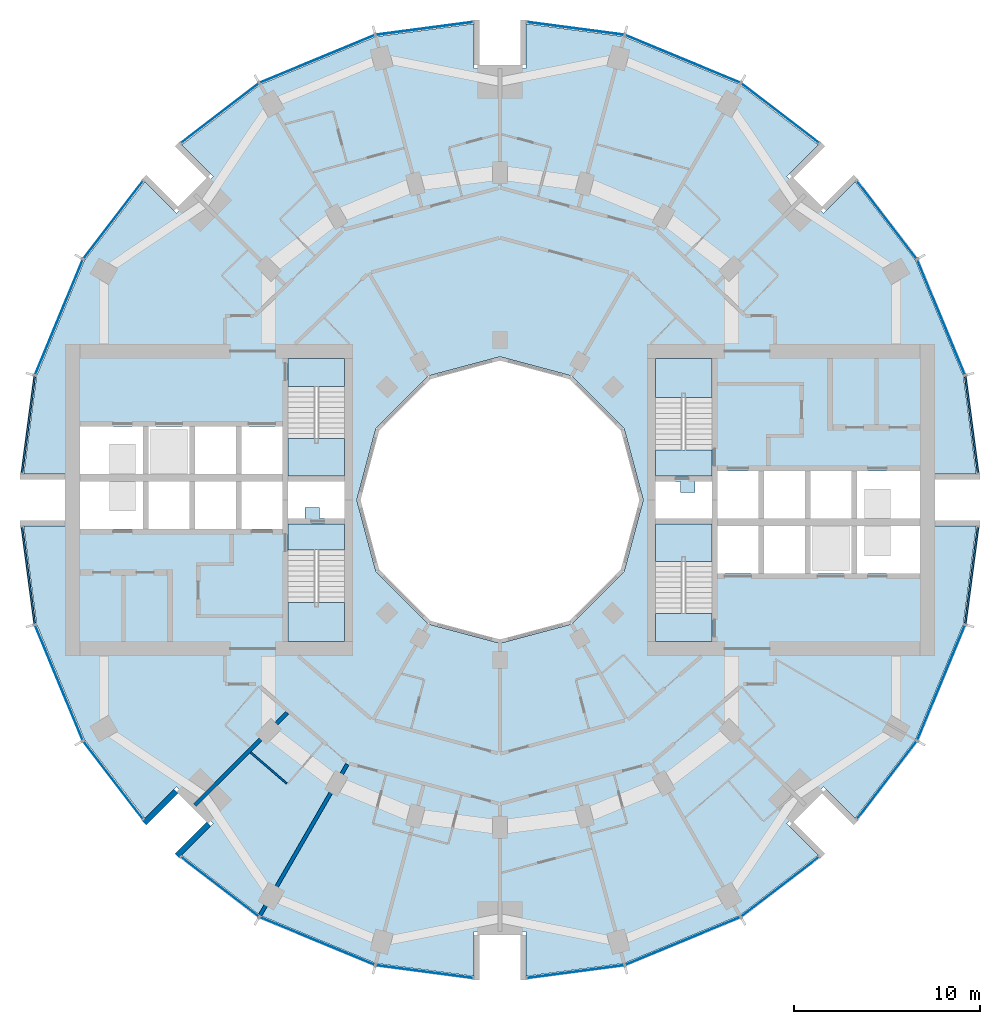
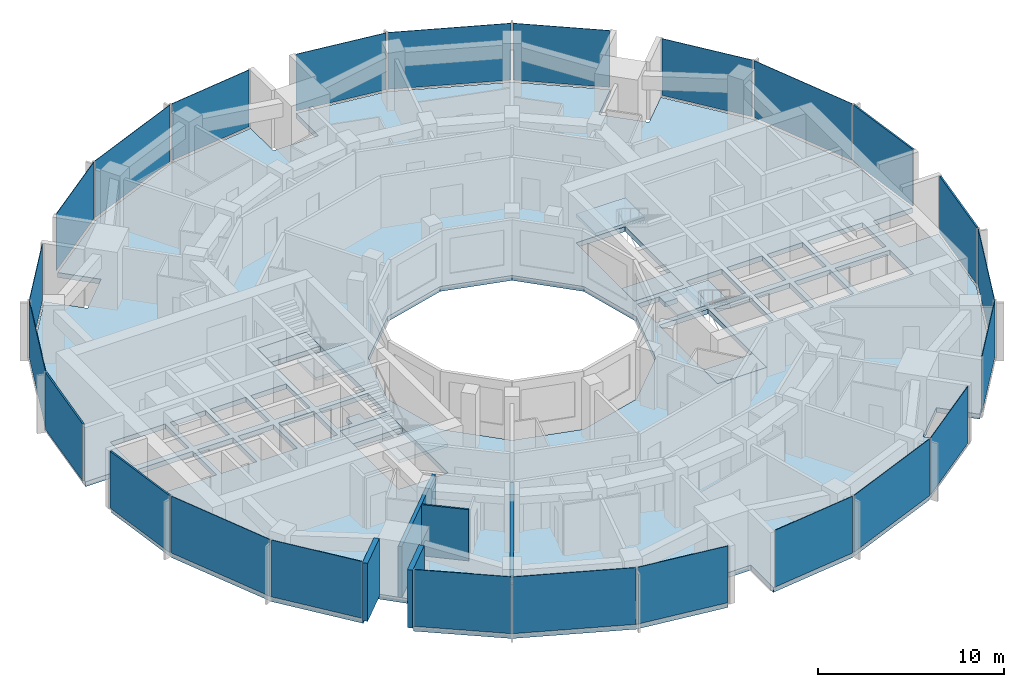
# One storey, part 7 of 15: 24 plates, 9 slabs, 5 walls, 28 elements without a shape of their own.
"""IFC4 building model written with IfcOpenShell, lengths in metres."""

from ifc_helpers import new_model, si_unit, direction, frame, frame_2d, origin, origin_2d, place, context, subcontext, project, spatial, polyline, rectangle, outline, extrude, material, layer, layer_set, type_object, element, aggregate, save


model = new_model("IFC4")

# Units and contexts
model_context = context("Model", 3, precision=1e-05, world=origin(), true_north=direction((0.0, 1.0)))
body_context = subcontext(model_context, "Body", "Model", "MODEL_VIEW")
ifc_project = project(units=[si_unit("LENGTHUNIT", "METRE"), si_unit("AREAUNIT", "SQUARE_METRE"), si_unit("VOLUMEUNIT", "CUBIC_METRE"), si_unit("PLANEANGLEUNIT", "RADIAN"), si_unit("MASSUNIT", "GRAM", prefix="KILO")], contexts=[model_context])

# Site, building, storey
site_placement = place(None, origin())
site = spatial("IfcSite", under=ifc_project, at=site_placement, CompositionType="ELEMENT")
building_placement = place(site_placement, origin())
building = spatial("IfcBuilding", under=site, at=building_placement, Name="Torre Brocal", CompositionType="ELEMENT")
storey_placement = place(building_placement, frame((0.0, 0.0, 40.199951171875)))
storey = spatial("IfcBuildingStorey", under=building, at=storey_placement, Name="L08", CompositionType="ELEMENT", Elevation=40.199951171875)

# Curtain wall, plate
ifc_material_1 = material(Name="Aluminium and glass", Category="aluminium")
ifc_layer_1 = layer(ifc_material_1, 0.199951171875)
ifc_layer_set_1 = layer_set([ifc_layer_1], Name="Aluminium and glass")
curtain_wall_type_1 = type_object("IfcCurtainWallType", Name="CW-1 CURTAIN WALL 3800 HIGH", PredefinedType="NOTDEFINED", material=ifc_layer_set_1)
curtain_wall_1_placement = place(storey_placement, origin())
curtain_wall_1 = element("IfcCurtainWall", 1, at=curtain_wall_1_placement, inside=storey, type_object=curtain_wall_type_1, Name="CW-1 RUN 2", PredefinedType="NOTDEFINED")
ifc_material_2 = material(Name="Glass, dark tinted laminated", Category="glass")
ifc_layer_2 = layer(ifc_material_2, 0.031982421875)
ifc_layer_set_2 = layer_set([ifc_layer_2], Name="Glass, dark tinted laminated")
plate_type_1 = type_object("IfcPlateType", Name="CW-1 GLASS PANEL 32", PredefinedType="CURTAIN_PANEL", material=ifc_layer_set_2)
plate_1_placement = place(storey_placement, frame((103.722900390625, 84.826416015625, 0.080078125), z_axis=(0.0, 0.0, 1.0), x_axis=(-0.382683432333, 0.923879532525, 0.0)))
plate_1 = element("IfcPlate", 2, at=plate_1_placement, type_object=plate_type_1, Name="CW1-1 panel 1.1", PredefinedType="CURTAIN_PANEL", context=body_context, shape_type="SweptSolid", body=[
    extrude(rectangle(XDim=6.64111328125, YDim=0.031982421875, at=origin_2d()), origin(), (0.0, 0.0, 1.0), 3.719970703125),
])
aggregate(curtain_wall_1, [plate_1])

curtain_wall_2_placement = place(storey_placement, origin())
curtain_wall_2 = element("IfcCurtainWall", 3, at=curtain_wall_2_placement, inside=storey, type_object=curtain_wall_type_1, Name="CW-1 RUN 3", PredefinedType="NOTDEFINED")
plate_2_placement = place(storey_placement, frame((100.80126953125, 90.0712890625, 0.080078125), z_axis=(0.0, 0.0, 1.0), x_axis=(-0.60876142905, 0.793353340259, 0.0)))
plate_2 = element("IfcPlate", 4, at=plate_2_placement, type_object=plate_type_1, Name="CW1-1 panel 1.1", PredefinedType="CURTAIN_PANEL", context=body_context, shape_type="SweptSolid", body=[
    extrude(rectangle(XDim=5.22900390625, YDim=0.031982421875, at=origin_2d()), origin(), (0.0, 0.0, 1.0), 3.719970703125),
])
aggregate(curtain_wall_2, [plate_2])

curtain_wall_3_placement = place(storey_placement, origin())
curtain_wall_3 = element("IfcCurtainWall", 5, at=curtain_wall_3_placement, inside=storey, type_object=curtain_wall_type_1, Name="CW-1 RUN 4", PredefinedType="NOTDEFINED")
plate_3_placement = place(storey_placement, frame((95.0712890625, 95.80126953125, 0.080078125), z_axis=(0.0, 0.0, 1.0), x_axis=(-0.793353340259, 0.60876142905, 0.0)))
plate_3 = element("IfcPlate", 6, at=plate_3_placement, type_object=plate_type_1, Name="CW1-1 panel 1.1", PredefinedType="CURTAIN_PANEL", context=body_context, shape_type="SweptSolid", body=[
    extrude(rectangle(XDim=5.22900390625, YDim=0.031982421875, at=origin_2d()), origin(), (0.0, 0.0, 1.0), 3.719970703125),
])
aggregate(curtain_wall_3, [plate_3])

curtain_wall_4_placement = place(storey_placement, origin())
curtain_wall_4 = element("IfcCurtainWall", 7, at=curtain_wall_4_placement, inside=storey, type_object=curtain_wall_type_1, Name="CW-1 RUN 5", PredefinedType="NOTDEFINED")
plate_4_placement = place(storey_placement, frame((89.826416015625, 98.722900390625, 0.080078125), z_axis=(0.0, 0.0, 1.0), x_axis=(-0.923879532525, 0.382683432333, 0.0)))
plate_4 = element("IfcPlate", 8, at=plate_4_placement, type_object=plate_type_1, Name="CW1-1 panel 1.1", PredefinedType="CURTAIN_PANEL", context=body_context, shape_type="SweptSolid", body=[
    extrude(rectangle(XDim=6.64111328125, YDim=0.031982421875, at=origin_2d()), origin(), (0.0, 0.0, 1.0), 3.719970703125),
])
aggregate(curtain_wall_4, [plate_4])

curtain_wall_5_placement = place(storey_placement, origin())
curtain_wall_5 = element("IfcCurtainWall", 9, at=curtain_wall_5_placement, inside=storey, type_object=curtain_wall_type_1, Name="CW-1 RUN 6", PredefinedType="NOTDEFINED")
plate_5_placement = place(storey_placement, frame((84.051513671875, 100.36572265625, 0.080078125), z_axis=(0.0, 0.0, 1.0), x_axis=(-0.991444861374, 0.13052619222, 0.0)))
plate_5 = element("IfcPlate", 10, at=plate_5_placement, type_object=plate_type_1, Name="CW1-1 panel 1.1", PredefinedType="CURTAIN_PANEL", context=body_context, shape_type="SweptSolid", body=[
    extrude(rectangle(XDim=5.22900390625, YDim=0.031982421875, at=origin_2d()), origin(), (0.0, 0.0, 1.0), 3.719970703125),
])
aggregate(curtain_wall_5, [plate_5])

curtain_wall_6_placement = place(storey_placement, origin())
curtain_wall_6 = element("IfcCurtainWall", 11, at=curtain_wall_6_placement, inside=storey, type_object=curtain_wall_type_1, Name="CW-1 RUN 7", PredefinedType="NOTDEFINED")
plate_6_placement = place(storey_placement, frame((75.948486328125, 100.36572265625, 0.080078125), z_axis=(0.0, 0.0, 1.0), x_axis=(-0.991444861374, -0.13052619222, 0.0)))
plate_6 = element("IfcPlate", 12, at=plate_6_placement, type_object=plate_type_1, Name="CW1-1 panel 1.1", PredefinedType="CURTAIN_PANEL", context=body_context, shape_type="SweptSolid", body=[
    extrude(rectangle(XDim=5.22900390625, YDim=0.031982421875, at=origin_2d()), origin(), (0.0, 0.0, 1.0), 3.719970703125),
])
aggregate(curtain_wall_6, [plate_6])

curtain_wall_7_placement = place(storey_placement, origin())
curtain_wall_7 = element("IfcCurtainWall", 13, at=curtain_wall_7_placement, inside=storey, type_object=curtain_wall_type_1, Name="CW-1 RUN 8", PredefinedType="NOTDEFINED")
plate_7_placement = place(storey_placement, frame((70.173583984375, 98.722900390625, 0.080078125), z_axis=(0.0, 0.0, 1.0), x_axis=(-0.923879532525, -0.382683432333, 0.0)))
plate_7 = element("IfcPlate", 14, at=plate_7_placement, type_object=plate_type_1, Name="CW1-1 panel 1.1", PredefinedType="CURTAIN_PANEL", context=body_context, shape_type="SweptSolid", body=[
    extrude(rectangle(XDim=6.64111328125, YDim=0.031982421875, at=origin_2d()), origin(), (0.0, 0.0, 1.0), 3.719970703125),
])
aggregate(curtain_wall_7, [plate_7])

curtain_wall_8_placement = place(storey_placement, origin())
curtain_wall_8 = element("IfcCurtainWall", 15, at=curtain_wall_8_placement, inside=storey, type_object=curtain_wall_type_1, Name="CW-1 RUN 9", PredefinedType="NOTDEFINED")
plate_8_placement = place(storey_placement, frame((64.9287109375, 95.80126953125, 0.080078125), z_axis=(0.0, 0.0, 1.0), x_axis=(-0.793353340259, -0.60876142905, 0.0)))
plate_8 = element("IfcPlate", 16, at=plate_8_placement, type_object=plate_type_1, Name="CW1-1 panel 1.1", PredefinedType="CURTAIN_PANEL", context=body_context, shape_type="SweptSolid", body=[
    extrude(rectangle(XDim=5.22900390625, YDim=0.031982421875, at=origin_2d()), origin(), (0.0, 0.0, 1.0), 3.719970703125),
])
aggregate(curtain_wall_8, [plate_8])

curtain_wall_9_placement = place(storey_placement, origin())
curtain_wall_9 = element("IfcCurtainWall", 17, at=curtain_wall_9_placement, inside=storey, type_object=curtain_wall_type_1, Name="CW-1 RUN 10", PredefinedType="NOTDEFINED")
plate_9_placement = place(storey_placement, frame((59.19873046875, 90.0712890625, 0.080078125), z_axis=(0.0, 0.0, 1.0), x_axis=(-0.60876142905, -0.793353340259, 0.0)))
plate_9 = element("IfcPlate", 18, at=plate_9_placement, type_object=plate_type_1, Name="CW1-1 panel 1.1", PredefinedType="CURTAIN_PANEL", context=body_context, shape_type="SweptSolid", body=[
    extrude(rectangle(XDim=5.22900390625, YDim=0.031982421875, at=origin_2d()), origin(), (0.0, 0.0, 1.0), 3.719970703125),
])
aggregate(curtain_wall_9, [plate_9])

curtain_wall_10_placement = place(storey_placement, origin())
curtain_wall_10 = element("IfcCurtainWall", 19, at=curtain_wall_10_placement, inside=storey, type_object=curtain_wall_type_1, Name="CW-1 RUN 11", PredefinedType="NOTDEFINED")
plate_10_placement = place(storey_placement, frame((56.277099609375, 84.826416015625, 0.080078125), z_axis=(0.0, 0.0, 1.0), x_axis=(-0.382683432333, -0.923879532525, 0.0)))
plate_10 = element("IfcPlate", 20, at=plate_10_placement, type_object=plate_type_1, Name="CW1-1 panel 1.1", PredefinedType="CURTAIN_PANEL", context=body_context, shape_type="SweptSolid", body=[
    extrude(rectangle(XDim=6.64111328125, YDim=0.031982421875, at=origin_2d()), origin(), (0.0, 0.0, 1.0), 3.719970703125),
])
aggregate(curtain_wall_10, [plate_10])

curtain_wall_11_placement = place(storey_placement, origin())
curtain_wall_11 = element("IfcCurtainWall", 21, at=curtain_wall_11_placement, inside=storey, type_object=curtain_wall_type_1, Name="CW-1 RUN 14", PredefinedType="NOTDEFINED")
plate_11_placement = place(storey_placement, frame((56.277099609375, 65.173583984375, 0.080078125), z_axis=(0.0, 0.0, 1.0), x_axis=(0.382683432333, -0.923879532525, 0.0)))
plate_11 = element("IfcPlate", 22, at=plate_11_placement, type_object=plate_type_1, Name="CW1-1 panel 1.1", PredefinedType="CURTAIN_PANEL", context=body_context, shape_type="SweptSolid", body=[
    extrude(rectangle(XDim=6.64111328125, YDim=0.031982421875, at=origin_2d()), origin(), (0.0, 0.0, 1.0), 3.719970703125),
])
aggregate(curtain_wall_11, [plate_11])

curtain_wall_12_placement = place(storey_placement, origin())
curtain_wall_12 = element("IfcCurtainWall", 23, at=curtain_wall_12_placement, inside=storey, type_object=curtain_wall_type_1, Name="CW-1 RUN 15", PredefinedType="NOTDEFINED")
plate_12_placement = place(storey_placement, frame((59.19873046875, 59.9287109375, 0.080078125), z_axis=(0.0, 0.0, 1.0), x_axis=(0.60876142905, -0.793353340259, 0.0)))
plate_12 = element("IfcPlate", 24, at=plate_12_placement, type_object=plate_type_1, Name="CW1-1 panel 1.1", PredefinedType="CURTAIN_PANEL", context=body_context, shape_type="SweptSolid", body=[
    extrude(rectangle(XDim=5.22900390625, YDim=0.031982421875, at=origin_2d()), origin(), (0.0, 0.0, 1.0), 3.719970703125),
])
aggregate(curtain_wall_12, [plate_12])

curtain_wall_13_placement = place(storey_placement, origin())
curtain_wall_13 = element("IfcCurtainWall", 25, at=curtain_wall_13_placement, inside=storey, type_object=curtain_wall_type_1, Name="CW-1 RUN 16", PredefinedType="NOTDEFINED")
plate_13_placement = place(storey_placement, frame((64.9287109375, 54.19873046875, 0.080078125), z_axis=(0.0, 0.0, 1.0), x_axis=(0.793353340259, -0.60876142905, 0.0)))
plate_13 = element("IfcPlate", 26, at=plate_13_placement, type_object=plate_type_1, Name="CW1-1 panel 1.1", PredefinedType="CURTAIN_PANEL", context=body_context, shape_type="SweptSolid", body=[
    extrude(rectangle(XDim=5.22900390625, YDim=0.031982421875, at=origin_2d()), origin(), (0.0, 0.0, 1.0), 3.719970703125),
])
aggregate(curtain_wall_13, [plate_13])

curtain_wall_14_placement = place(storey_placement, origin())
curtain_wall_14 = element("IfcCurtainWall", 27, at=curtain_wall_14_placement, inside=storey, type_object=curtain_wall_type_1, Name="CW-1 RUN 17", PredefinedType="NOTDEFINED")
plate_14_placement = place(storey_placement, frame((70.173583984375, 51.277099609375, 0.080078125), z_axis=(0.0, 0.0, 1.0), x_axis=(0.923879532525, -0.382683432333, 0.0)))
plate_14 = element("IfcPlate", 28, at=plate_14_placement, type_object=plate_type_1, Name="CW1-1 panel 1.1", PredefinedType="CURTAIN_PANEL", context=body_context, shape_type="SweptSolid", body=[
    extrude(rectangle(XDim=6.64111328125, YDim=0.031982421875, at=origin_2d()), origin(), (0.0, 0.0, 1.0), 3.719970703125),
])
aggregate(curtain_wall_14, [plate_14])

curtain_wall_15_placement = place(storey_placement, origin())
curtain_wall_15 = element("IfcCurtainWall", 29, at=curtain_wall_15_placement, inside=storey, type_object=curtain_wall_type_1, Name="CW-1 RUN 18", PredefinedType="NOTDEFINED")
plate_15_placement = place(storey_placement, frame((75.948486328125, 49.63427734375, 0.080078125), z_axis=(0.0, 0.0, 1.0), x_axis=(0.991444861374, -0.13052619222, 0.0)))
plate_15 = element("IfcPlate", 30, at=plate_15_placement, type_object=plate_type_1, Name="CW1-1 panel 1.1", PredefinedType="CURTAIN_PANEL", context=body_context, shape_type="SweptSolid", body=[
    extrude(rectangle(XDim=5.22900390625, YDim=0.031982421875, at=origin_2d()), origin(), (0.0, 0.0, 1.0), 3.719970703125),
])
aggregate(curtain_wall_15, [plate_15])

curtain_wall_16_placement = place(storey_placement, origin())
curtain_wall_16 = element("IfcCurtainWall", 31, at=curtain_wall_16_placement, inside=storey, type_object=curtain_wall_type_1, Name="CW-1 RUN 19", PredefinedType="NOTDEFINED")
plate_16_placement = place(storey_placement, frame((84.051513671875, 49.63427734375, 0.080078125), z_axis=(0.0, 0.0, 1.0), x_axis=(0.991444861374, 0.13052619222, 0.0)))
plate_16 = element("IfcPlate", 32, at=plate_16_placement, type_object=plate_type_1, Name="CW1-1 panel 1.1", PredefinedType="CURTAIN_PANEL", context=body_context, shape_type="SweptSolid", body=[
    extrude(rectangle(XDim=5.22900390625, YDim=0.031982421875, at=origin_2d()), origin(), (0.0, 0.0, 1.0), 3.719970703125),
])
aggregate(curtain_wall_16, [plate_16])

curtain_wall_17_placement = place(storey_placement, origin())
curtain_wall_17 = element("IfcCurtainWall", 33, at=curtain_wall_17_placement, inside=storey, type_object=curtain_wall_type_1, Name="CW-1 RUN 20", PredefinedType="NOTDEFINED")
plate_17_placement = place(storey_placement, frame((89.826416015625, 51.277099609375, 0.080078125), z_axis=(0.0, 0.0, 1.0), x_axis=(0.923879532525, 0.382683432333, 0.0)))
plate_17 = element("IfcPlate", 34, at=plate_17_placement, type_object=plate_type_1, Name="CW1-1 panel 1.1", PredefinedType="CURTAIN_PANEL", context=body_context, shape_type="SweptSolid", body=[
    extrude(rectangle(XDim=6.64111328125, YDim=0.031982421875, at=origin_2d()), origin(), (0.0, 0.0, 1.0), 3.719970703125),
])
aggregate(curtain_wall_17, [plate_17])

curtain_wall_18_placement = place(storey_placement, origin())
curtain_wall_18 = element("IfcCurtainWall", 35, at=curtain_wall_18_placement, inside=storey, type_object=curtain_wall_type_1, Name="CW-1 RUN 21", PredefinedType="NOTDEFINED")
plate_18_placement = place(storey_placement, frame((95.0712890625, 54.19873046875, 0.080078125), z_axis=(0.0, 0.0, 1.0), x_axis=(0.793353340259, 0.60876142905, 0.0)))
plate_18 = element("IfcPlate", 36, at=plate_18_placement, type_object=plate_type_1, Name="CW1-1 panel 1.1", PredefinedType="CURTAIN_PANEL", context=body_context, shape_type="SweptSolid", body=[
    extrude(rectangle(XDim=5.22900390625, YDim=0.031982421875, at=origin_2d()), origin(), (0.0, 0.0, 1.0), 3.719970703125),
])
aggregate(curtain_wall_18, [plate_18])

curtain_wall_19_placement = place(storey_placement, origin())
curtain_wall_19 = element("IfcCurtainWall", 37, at=curtain_wall_19_placement, inside=storey, type_object=curtain_wall_type_1, Name="CW-1 RUN 22", PredefinedType="NOTDEFINED")
plate_19_placement = place(storey_placement, frame((100.80126953125, 59.9287109375, 0.080078125), z_axis=(0.0, 0.0, 1.0), x_axis=(0.60876142905, 0.793353340259, 0.0)))
plate_19 = element("IfcPlate", 38, at=plate_19_placement, type_object=plate_type_1, Name="CW1-1 panel 1.1", PredefinedType="CURTAIN_PANEL", context=body_context, shape_type="SweptSolid", body=[
    extrude(rectangle(XDim=5.22900390625, YDim=0.031982421875, at=origin_2d()), origin(), (0.0, 0.0, 1.0), 3.719970703125),
])
aggregate(curtain_wall_19, [plate_19])

curtain_wall_20_placement = place(storey_placement, origin())
curtain_wall_20 = element("IfcCurtainWall", 39, at=curtain_wall_20_placement, inside=storey, type_object=curtain_wall_type_1, Name="CW-1 RUN 23", PredefinedType="NOTDEFINED")
plate_20_placement = place(storey_placement, frame((103.722900390625, 65.173583984375, 0.080078125), z_axis=(0.0, 0.0, 1.0), x_axis=(0.382683432333, 0.923879532525, 0.0)))
plate_20 = element("IfcPlate", 40, at=plate_20_placement, type_object=plate_type_1, Name="CW1-1 panel 1.1", PredefinedType="CURTAIN_PANEL", context=body_context, shape_type="SweptSolid", body=[
    extrude(rectangle(XDim=6.64111328125, YDim=0.031982421875, at=origin_2d()), origin(), (0.0, 0.0, 1.0), 3.719970703125),
])
aggregate(curtain_wall_20, [plate_20])

ifc_material_3 = material(Name="Aluminium and glass", Category="aluminium")
ifc_layer_3 = layer(ifc_material_3, 0.199951171875)
ifc_layer_set_3 = layer_set([ifc_layer_3], Name="Aluminium and glass")
curtain_wall_type_2 = type_object("IfcCurtainWallType", Name="CW-1B CURTAIN WALL 3800 HIGH", PredefinedType="NOTDEFINED", material=ifc_layer_set_3)
curtain_wall_21_placement = place(storey_placement, origin())
curtain_wall_21 = element("IfcCurtainWall", 41, at=curtain_wall_21_placement, inside=storey, type_object=curtain_wall_type_2, Name="CW-1B RUN 1", PredefinedType="NOTDEFINED")
ifc_material_4 = material(Name="Aluminium composite panel", Category="aluminium")
ifc_layer_4 = layer(ifc_material_4, 0.10009765625)
ifc_layer_set_4 = layer_set([ifc_layer_4], Name="Aluminium composite panel")
plate_type_2 = type_object("IfcPlateType", Name="CW-1B OPAQUE PANEL 100", PredefinedType="CURTAIN_PANEL", material=ifc_layer_set_4)
plate_21_placement = place(storey_placement, frame((105.36572265625, 79.051513671875, 0.080078125), z_axis=(0.0, 0.0, 1.0), x_axis=(-0.13052619222, 0.991444861374, 0.0)))
plate_21 = element("IfcPlate", 42, at=plate_21_placement, type_object=plate_type_2, Name="CW1B-1 panel 1.1", PredefinedType="CURTAIN_PANEL", context=body_context, shape_type="SweptSolid", body=[
    extrude(rectangle(XDim=5.22900390625, YDim=0.10009765625, at=origin_2d()), origin(), (0.0, 0.0, 1.0), 3.719970703125),
])
aggregate(curtain_wall_21, [plate_21])

curtain_wall_22_placement = place(storey_placement, origin())
curtain_wall_22 = element("IfcCurtainWall", 43, at=curtain_wall_22_placement, inside=storey, type_object=curtain_wall_type_2, Name="CW-1B RUN 12", PredefinedType="NOTDEFINED")
plate_22_placement = place(storey_placement, frame((54.63427734375, 79.051513671875, 0.080078125), z_axis=(0.0, 0.0, 1.0), x_axis=(-0.13052619222, -0.991444861374, 0.0)))
plate_22 = element("IfcPlate", 44, at=plate_22_placement, type_object=plate_type_2, Name="CW1B-1 panel 1.1", PredefinedType="CURTAIN_PANEL", context=body_context, shape_type="SweptSolid", body=[
    extrude(rectangle(XDim=5.22900390625, YDim=0.10009765625, at=origin_2d()), origin(), (0.0, 0.0, 1.0), 3.719970703125),
])
aggregate(curtain_wall_22, [plate_22])

curtain_wall_23_placement = place(storey_placement, origin())
curtain_wall_23 = element("IfcCurtainWall", 45, at=curtain_wall_23_placement, inside=storey, type_object=curtain_wall_type_2, Name="CW-1B RUN 13", PredefinedType="NOTDEFINED")
plate_23_placement = place(storey_placement, frame((54.63427734375, 70.948486328125, 0.080078125), z_axis=(0.0, 0.0, 1.0), x_axis=(0.13052619222, -0.991444861374, 0.0)))
plate_23 = element("IfcPlate", 46, at=plate_23_placement, type_object=plate_type_2, Name="CW1B-1 panel 1.1", PredefinedType="CURTAIN_PANEL", context=body_context, shape_type="SweptSolid", body=[
    extrude(rectangle(XDim=5.22900390625, YDim=0.10009765625, at=origin_2d()), origin(), (0.0, 0.0, 1.0), 3.719970703125),
])
aggregate(curtain_wall_23, [plate_23])

curtain_wall_24_placement = place(storey_placement, origin())
curtain_wall_24 = element("IfcCurtainWall", 47, at=curtain_wall_24_placement, inside=storey, type_object=curtain_wall_type_2, Name="CW-1B RUN 24", PredefinedType="NOTDEFINED")
plate_24_placement = place(storey_placement, frame((105.36572265625, 70.948486328125, 0.080078125), z_axis=(0.0, 0.0, 1.0), x_axis=(0.13052619222, 0.991444861374, 0.0)))
plate_24 = element("IfcPlate", 48, at=plate_24_placement, type_object=plate_type_2, Name="CW1B-1 panel 1.1", PredefinedType="CURTAIN_PANEL", context=body_context, shape_type="SweptSolid", body=[
    extrude(rectangle(XDim=5.22900390625, YDim=0.10009765625, at=origin_2d()), origin(), (0.0, 0.0, 1.0), 3.719970703125),
])
aggregate(curtain_wall_24, [plate_24])

# Stair, slab
ifc_material_5 = material(Name="Concrete C50", Category="concrete")
stair_type = type_object("IfcStairType", Name="EXIT STAIR", PredefinedType="HALF_TURN_STAIR", material=ifc_material_5)
stair_1_placement = place(storey_placement, origin())
stair_1 = element("IfcStair", 49, at=stair_1_placement, inside=storey, type_object=stair_type, Name="EXIT STAIR ST1", PredefinedType="HALF_TURN_STAIR")
ifc_material_6 = material(Name="Concrete C50", Category="concrete")
ifc_layer_5 = layer(ifc_material_6, 0.320068359375)
ifc_layer_set_5 = layer_set([ifc_layer_5], Name="Concrete C50")
slab_type_1 = type_object("IfcSlabType", Name="FLOOR LANDING 320", PredefinedType="LANDING", material=ifc_layer_set_5)
slab_1_placement = place(storey_placement, frame((0.0, 0.0, -0.320068359375)))
slab_1 = element("IfcSlab", 50, at=slab_1_placement, type_object=slab_type_1, Name="ST1 landing 1", PredefinedType="LANDING", context=body_context, shape_type="SweptSolid", body=[
    extrude(outline(polyline([(88.35009765625, 76.300048828125), (91.39990234375, 76.300048828125), (91.39990234375, 77.699951171875), (88.35009765625, 77.699951171875), (88.35009765625, 76.300048828125)])), origin(), (0.0, 0.0, 1.0), 0.320068359375),
])

stair_2_placement = place(storey_placement, origin())
stair_2 = element("IfcStair", 51, at=stair_2_placement, inside=storey, type_object=stair_type, Name="EXIT STAIR ST2", PredefinedType="HALF_TURN_STAIR")
slab_2_placement = place(storey_placement, frame((0.0, 0.0, -0.320068359375)))
slab_2 = element("IfcSlab", 52, at=slab_2_placement, type_object=slab_type_1, Name="ST2 landing 1", PredefinedType="LANDING", context=body_context, shape_type="SweptSolid", body=[
    extrude(outline(polyline([(88.35009765625, 67.39990234375), (91.39990234375, 67.39990234375), (91.39990234375, 68.89990234375), (88.35009765625, 68.89990234375), (88.35009765625, 67.39990234375)])), origin(), (0.0, 0.0, 1.0), 0.320068359375),
])

stair_3_placement = place(storey_placement, origin())
stair_3 = element("IfcStair", 53, at=stair_3_placement, inside=storey, type_object=stair_type, Name="EXIT STAIR ST3", PredefinedType="HALF_TURN_STAIR")
slab_3_placement = place(storey_placement, frame((0.0, 0.0, -0.320068359375)))
slab_3 = element("IfcSlab", 54, at=slab_3_placement, type_object=slab_type_1, Name="ST3 landing 1", PredefinedType="LANDING", context=body_context, shape_type="SweptSolid", body=[
    extrude(outline(polyline([(71.64990234375, 73.699951171875), (68.60009765625, 73.699951171875), (68.60009765625, 72.300048828125), (71.64990234375, 72.300048828125), (71.64990234375, 73.699951171875)])), origin(), (0.0, 0.0, 1.0), 0.320068359375),
])

stair_4_placement = place(storey_placement, origin())
stair_4 = element("IfcStair", 55, at=stair_4_placement, inside=storey, type_object=stair_type, Name="EXIT STAIR ST4", PredefinedType="HALF_TURN_STAIR")
slab_4_placement = place(storey_placement, frame((0.0, 0.0, -0.320068359375)))
slab_4 = element("IfcSlab", 56, at=slab_4_placement, type_object=slab_type_1, Name="ST4 landing 1", PredefinedType="LANDING", context=body_context, shape_type="SweptSolid", body=[
    extrude(outline(polyline([(71.64990234375, 82.60009765625), (68.60009765625, 82.60009765625), (68.60009765625, 81.10009765625), (71.64990234375, 81.10009765625), (71.64990234375, 82.60009765625)])), origin(), (0.0, 0.0, 1.0), 0.320068359375),
])

# Slab
ifc_material_7 = material(Name="Concrete C50", Category="concrete")
ifc_layer_6 = layer(ifc_material_7, 0.199951171875)
ifc_layer_set_6 = layer_set([ifc_layer_6], Name="Concrete C50")
slab_type_2 = type_object("IfcSlabType", Name="MID LANDING +1900", PredefinedType="LANDING", material=ifc_layer_set_6)
slab_5_placement = place(storey_placement, frame((0.0, 0.0, 1.699951171875)))
slab_5 = element("IfcSlab", 57, at=slab_5_placement, type_object=slab_type_2, Name="ST1 landing 2", PredefinedType="LANDING", context=body_context, shape_type="SweptSolid", body=[
    extrude(outline(polyline([(88.35009765625, 80.5), (91.39990234375, 80.5), (91.39990234375, 82.60009765625), (88.35009765625, 82.60009765625), (88.35009765625, 80.5)])), origin(), (0.0, 0.0, 1.0), 0.2001953125),
])

aggregate(stair_1, [slab_1, slab_5])

slab_6_placement = place(storey_placement, frame((0.0, 0.0, 1.699951171875)))
slab_6 = element("IfcSlab", 58, at=slab_6_placement, type_object=slab_type_2, Name="ST2 landing 2", PredefinedType="LANDING", context=body_context, shape_type="SweptSolid", body=[
    extrude(outline(polyline([(88.35009765625, 71.699951171875), (91.39990234375, 71.699951171875), (91.39990234375, 73.699951171875), (88.35009765625, 73.699951171875), (88.35009765625, 71.699951171875)])), origin(), (0.0, 0.0, 1.0), 0.2001953125),
])

aggregate(stair_2, [slab_2, slab_6])

slab_7_placement = place(storey_placement, frame((0.0, 0.0, 1.699951171875)))
slab_7 = element("IfcSlab", 59, at=slab_7_placement, type_object=slab_type_2, Name="ST3 landing 2", PredefinedType="LANDING", context=body_context, shape_type="SweptSolid", body=[
    extrude(outline(polyline([(71.64990234375, 69.5), (68.60009765625, 69.5), (68.60009765625, 67.39990234375), (71.64990234375, 67.39990234375), (71.64990234375, 69.5)])), origin(), (0.0, 0.0, 1.0), 0.2001953125),
])

aggregate(stair_3, [slab_3, slab_7])

slab_8_placement = place(storey_placement, frame((0.0, 0.0, 1.699951171875)))
slab_8 = element("IfcSlab", 60, at=slab_8_placement, type_object=slab_type_2, Name="ST4 landing 2", PredefinedType="LANDING", context=body_context, shape_type="SweptSolid", body=[
    extrude(outline(polyline([(71.64990234375, 78.300048828125), (68.60009765625, 78.300048828125), (68.60009765625, 76.300048828125), (71.64990234375, 76.300048828125), (71.64990234375, 78.300048828125)])), origin(), (0.0, 0.0, 1.0), 0.2001953125),
])

aggregate(stair_4, [slab_4, slab_8])

ifc_material_8 = material(Name="Concrete C45", Category="concrete")
ifc_layer_7 = layer(ifc_material_8, 0.320068359375)
ifc_layer_set_7 = layer_set([ifc_layer_7], Name="Concrete C45")
slab_type_3 = type_object("IfcSlabType", Name="PT FLOOR SLAB 320 C45", PredefinedType="FLOOR", material=ifc_layer_set_7)
slab_9_placement = place(storey_placement, frame((0.0, 0.0, -0.320068359375)))
element("IfcSlab", 61, at=slab_9_placement, inside=storey, type_object=slab_type_3, Name="Slab ST-05", PredefinedType="FLOOR", context=body_context, shape_type="SweptSolid", body=[
    extrude(outline(polyline([(103.199951171875, 76.39990234375), (103.199951171875, 73.60009765625), (105.614013671875, 73.60009765625), (104.919189453125, 68.322998046875), (102.342041015625, 62.100830078125), (99.101806640625, 57.878173828125), (97.394775390625, 59.5849609375), (95.4150390625, 57.605224609375), (97.121826171875, 55.898193359375), (92.899169921875, 52.657958984375), (86.677001953125, 50.080810546875), (81.39990234375, 49.385986328125), (81.39990234375, 51.800048828125), (78.60009765625, 51.800048828125), (78.60009765625, 49.385986328125), (73.322998046875, 50.080810546875), (67.100830078125, 52.657958984375), (62.878173828125, 55.898193359375), (64.5849609375, 57.605224609375), (62.605224609375, 59.5849609375), (60.898193359375, 57.878173828125), (57.657958984375, 62.100830078125), (55.080810546875, 68.322998046875), (54.385986328125, 73.60009765625), (56.800048828125, 73.60009765625), (56.800048828125, 76.39990234375), (54.385986328125, 76.39990234375), (55.080810546875, 81.677001953125), (57.657958984375, 87.899169921875), (60.898193359375, 92.121826171875), (62.605224609375, 90.4150390625), (64.5849609375, 92.394775390625), (62.878173828125, 94.101806640625), (67.100830078125, 97.342041015625), (73.322998046875, 99.919189453125), (78.60009765625, 100.614013671875), (78.60009765625, 98.199951171875), (81.39990234375, 98.199951171875), (81.39990234375, 100.614013671875), (86.677001953125, 99.919189453125), (92.899169921875, 97.342041015625), (97.121826171875, 94.101806640625), (95.4150390625, 92.394775390625), (97.394775390625, 90.4150390625), (99.101806640625, 92.121826171875), (102.342041015625, 87.899169921875), (104.919189453125, 81.677001953125), (105.614013671875, 76.39990234375), (103.199951171875, 76.39990234375)]), holes=[polyline([(102.60009765625, 74.0), (102.60009765625, 76.550048828125), (99.199951171875, 76.550048828125), (99.199951171875, 74.0), (102.60009765625, 74.0)]), polyline([(102.60009765625, 71.050048828125), (102.60009765625, 73.60009765625), (99.199951171875, 73.60009765625), (99.199951171875, 71.050048828125), (102.60009765625, 71.050048828125)]), polyline([(98.89990234375, 76.550048828125), (96.699951171875, 76.550048828125), (96.699951171875, 74.0), (98.89990234375, 74.0), (98.89990234375, 76.550048828125)]), polyline([(98.89990234375, 71.050048828125), (98.89990234375, 73.60009765625), (96.699951171875, 73.60009765625), (96.699951171875, 71.050048828125), (98.89990234375, 71.050048828125)]), polyline([(96.39990234375, 73.60009765625), (94.199951171875, 73.60009765625), (94.199951171875, 71.050048828125), (96.39990234375, 71.050048828125), (96.39990234375, 73.60009765625)]), polyline([(96.39990234375, 74.0), (96.39990234375, 76.550048828125), (94.199951171875, 76.550048828125), (94.199951171875, 74.0), (96.39990234375, 74.0)]), polyline([(93.89990234375, 73.60009765625), (91.699951171875, 73.60009765625), (91.699951171875, 71.050048828125), (93.89990234375, 71.050048828125), (93.89990234375, 73.60009765625)]), polyline([(93.89990234375, 74.0), (93.89990234375, 76.550048828125), (91.699951171875, 76.550048828125), (91.699951171875, 74.0), (93.89990234375, 74.0)]), polyline([(91.39990234375, 76.300048828125), (91.39990234375, 82.60009765625), (88.35009765625, 82.60009765625), (88.35009765625, 76.300048828125), (91.39990234375, 76.300048828125)]), polyline([(91.39990234375, 73.699951171875), (88.35009765625, 73.699951171875), (88.35009765625, 67.39990234375), (91.39990234375, 67.39990234375), (91.39990234375, 73.699951171875)]), polyline([(89.699951171875, 76.0), (88.35009765625, 76.0), (88.35009765625, 74.0), (91.39990234375, 74.0), (91.39990234375, 76.0), (90.5, 76.0), (90.5, 75.39990234375), (89.699951171875, 75.39990234375), (89.699951171875, 76.0)]), polyline([(80.0, 82.70703125), (76.146484375, 81.674560546875), (73.325439453125, 78.853515625), (72.29296875, 75.0), (73.325439453125, 71.146484375), (76.146484375, 68.325439453125), (80.0, 67.29296875), (83.853515625, 68.325439453125), (86.674560546875, 71.146484375), (87.70703125, 75.0), (86.674560546875, 78.853515625), (83.853515625, 81.674560546875), (80.0, 82.70703125)]), polyline([(68.60009765625, 82.60009765625), (68.60009765625, 76.300048828125), (71.64990234375, 76.300048828125), (71.64990234375, 82.60009765625), (68.60009765625, 82.60009765625)]), polyline([(70.300048828125, 74.0), (71.64990234375, 74.0), (71.64990234375, 76.0), (68.60009765625, 76.0), (68.60009765625, 74.0), (69.5, 74.0), (69.5, 74.60009765625), (70.300048828125, 74.60009765625), (70.300048828125, 74.0)]), polyline([(68.60009765625, 67.39990234375), (71.64990234375, 67.39990234375), (71.64990234375, 73.699951171875), (68.60009765625, 73.699951171875), (68.60009765625, 67.39990234375)]), polyline([(66.10009765625, 78.949951171875), (66.10009765625, 76.39990234375), (68.300048828125, 76.39990234375), (68.300048828125, 78.949951171875), (66.10009765625, 78.949951171875)]), polyline([(66.10009765625, 76.0), (66.10009765625, 73.449951171875), (68.300048828125, 73.449951171875), (68.300048828125, 76.0), (66.10009765625, 76.0)]), polyline([(63.60009765625, 76.0), (63.60009765625, 73.449951171875), (65.800048828125, 73.449951171875), (65.800048828125, 76.0), (63.60009765625, 76.0)]), polyline([(63.60009765625, 76.39990234375), (65.800048828125, 76.39990234375), (65.800048828125, 78.949951171875), (63.60009765625, 78.949951171875), (63.60009765625, 76.39990234375)]), polyline([(61.10009765625, 78.949951171875), (61.10009765625, 76.39990234375), (63.300048828125, 76.39990234375), (63.300048828125, 78.949951171875), (61.10009765625, 78.949951171875)]), polyline([(61.10009765625, 73.449951171875), (63.300048828125, 73.449951171875), (63.300048828125, 76.0), (61.10009765625, 76.0), (61.10009765625, 73.449951171875)]), polyline([(57.39990234375, 73.449951171875), (60.800048828125, 73.449951171875), (60.800048828125, 76.0), (57.39990234375, 76.0), (57.39990234375, 73.449951171875)]), polyline([(57.39990234375, 78.949951171875), (57.39990234375, 76.39990234375), (60.800048828125, 76.39990234375), (60.800048828125, 78.949951171875), (57.39990234375, 78.949951171875)])]), origin(), (0.0, 0.0, 1.0), 0.320068359375),
])

# Walls
ifc_material_9 = material(Name="Concrete C80", Category="concrete")
ifc_layer_8 = layer(ifc_material_9, 0.300048828125)
ifc_layer_set_8 = layer_set([ifc_layer_8], Name="Concrete C80")
wall_type_1 = type_object("IfcWallType", Name="NOTCH RETURN WALL 300 C80", PredefinedType="NOTDEFINED", material=ifc_layer_set_8)
for number, where, z_axis, x_axis, name in (
    (62, (62.56982421875, 59.337646484375, 0.0), (0.0, 0.0, 1.0), (-0.707106781187, -0.707106781187, 0.0), "NOTCH RETURN WALL"),
    (63, (64.337646484375, 57.56982421875, 0.0), (0.0, 0.0, 1.0), (-0.707106781187, -0.707106781187, 0.0), "NOTCH RETURN WALL"),
):
    element("IfcWall", number, at=place(storey_placement, frame(where, z_axis=z_axis, x_axis=x_axis)), inside=storey, type_object=wall_type_1, Name=name, PredefinedType="NOTDEFINED", context=body_context, shape_type="SweptSolid", body=[
        extrude(rectangle(XDim=2.415771484375, YDim=0.300048828125, at=frame_2d((1.2080078125, 0.0))), origin(), (0.0, 0.0, 1.0), 3.800048828125),
    ])
ifc_material_10 = material(Name="Gypsum board", Category="Gypsum")
ifc_layer_9 = layer(ifc_material_10, 0.10009765625)
ifc_layer_set_9 = layer_set([ifc_layer_9], Name="Gypsum board")
wall_type_2 = type_object("IfcWallType", Name="PARTITION 100", PredefinedType="PARTITIONING", material=ifc_layer_set_9)
wall_1_placement = place(storey_placement, frame((66.57568359375, 61.434814453125, 0.0), z_axis=(0.0, 0.0, 1.0), x_axis=(0.757970550281, -0.652288774169, 0.0)))
element("IfcWall", 64, at=wall_1_placement, inside=storey, type_object=wall_type_2, Name="BATHROOM WALL", PredefinedType="PARTITIONING", context=body_context, shape_type="SweptSolid", body=[
    extrude(rectangle(XDim=2.575927734375, YDim=0.10009765625, at=frame_2d((1.2880859375, 0.0))), origin(), (0.0, 0.0, 1.0), 3.35009765625),
])
ifc_material_11 = material(Name="Gypsum board", Category="Gypsum")
ifc_layer_10 = layer(ifc_material_11, 0.199951171875)
ifc_layer_set_10 = layer_set([ifc_layer_10], Name="Gypsum board")
wall_type_3 = type_object("IfcWallType", Name="PARTITION 200 EI60", PredefinedType="PARTITIONING", material=ifc_layer_set_10)
wall_2_placement = place(storey_placement, frame((63.593505859375, 58.597900390625, 0.0), z_axis=(0.0, 0.0, 1.0), x_axis=(0.707228748718, 0.706984792613, 0.0)))
element("IfcWall", 65, at=wall_2_placement, inside=storey, type_object=wall_type_3, Name="BATHROOM WALL", PredefinedType="PARTITIONING", context=body_context, shape_type="SweptSolid", body=[
    extrude(rectangle(XDim=7.00537109375, YDim=0.199951171875, at=frame_2d((3.502685546875, 0.0))), origin(), (0.0, 0.0, 1.0), 3.35009765625),
])
wall_3_placement = place(storey_placement, frame((67.09423828125, 52.66259765625, 0.0), z_axis=(0.0, 0.0, 1.0), x_axis=(0.500216854217, 0.865900166738, 0.0)))
element("IfcWall", 66, at=wall_3_placement, inside=storey, type_object=wall_type_3, Name="PARTY PARTITION", PredefinedType="PARTITIONING", context=body_context, shape_type="SweptSolid", body=[
    extrude(rectangle(XDim=9.374755859375, YDim=0.199951171875, at=frame_2d((4.6875, 0.0))), origin(), (0.0, 0.0, 1.0), 3.35009765625),
])

save(model, "model.ifc")
